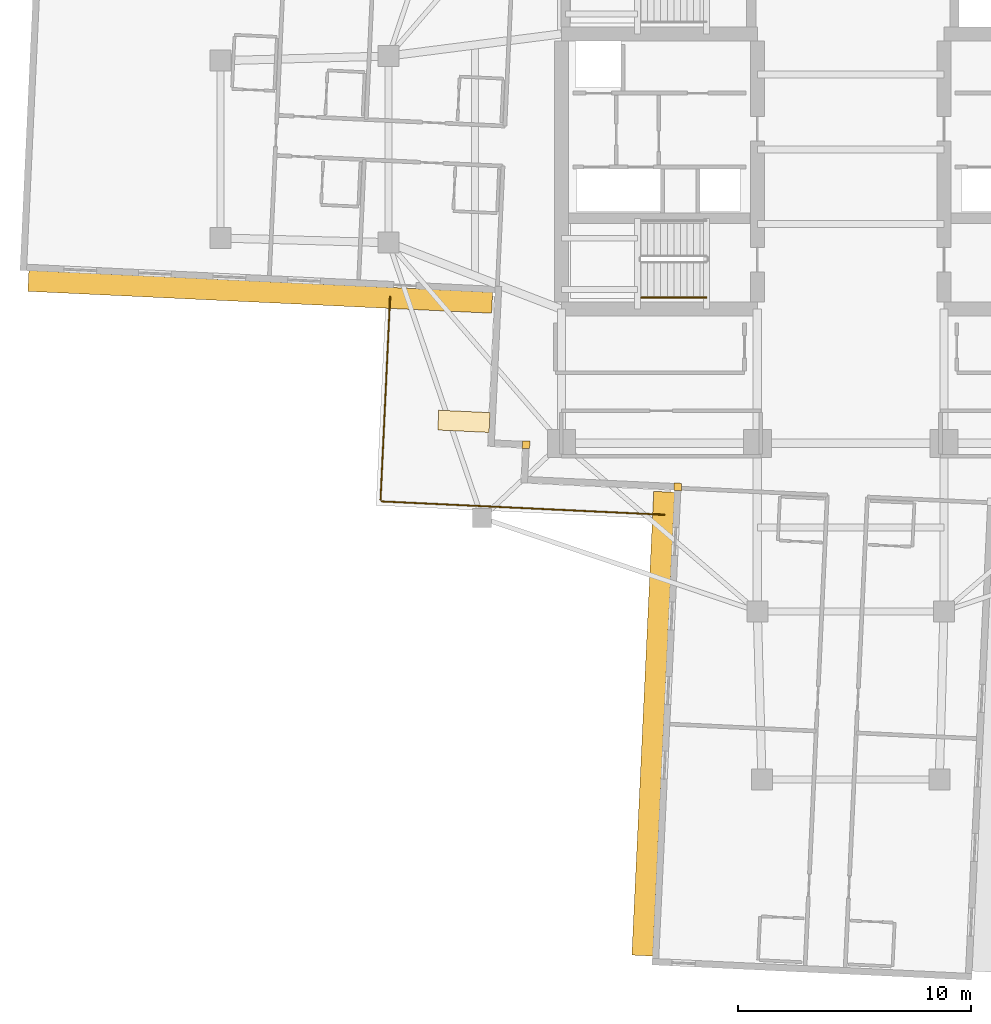
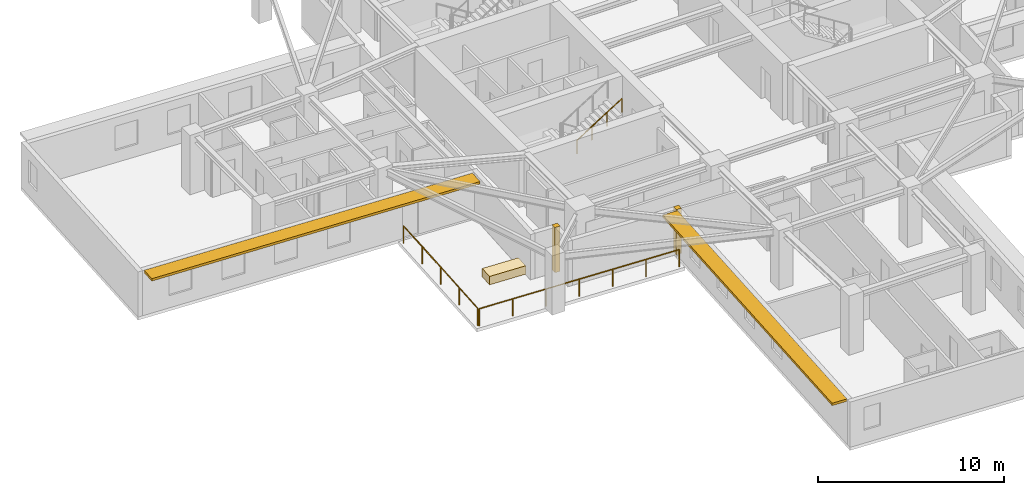
# One storey, part 10 of 14: 3 coverings, 3 railings, 2 shading devices.
"""IFC4 building model written with IfcOpenShell, lengths in metres."""

from ifc_helpers import new_model, si_unit, direction, frame, origin, origin_2d, place, context, subcontext, project, spatial, rectangle, circle, extrude, material, layer, layer_set, type_object, element, save


model = new_model("IFC4")

# Units and contexts
model_context = context("Model", 3, precision=1e-05, world=origin(), true_north=direction((0.0, 1.0)))
body_context = subcontext(model_context, "Body", "Model", "MODEL_VIEW")
ifc_project = project(units=[si_unit("LENGTHUNIT", "METRE"), si_unit("AREAUNIT", "SQUARE_METRE"), si_unit("VOLUMEUNIT", "CUBIC_METRE"), si_unit("PLANEANGLEUNIT", "RADIAN"), si_unit("MASSUNIT", "GRAM", prefix="KILO")], contexts=[model_context])

# Site, building, storey
site_placement = place(None, origin())
site = spatial("IfcSite", under=ifc_project, at=site_placement, CompositionType="ELEMENT")
building_placement = place(site_placement, origin())
building = spatial("IfcBuilding", under=site, at=building_placement, Name="Qingluan Cross Belvedere", CompositionType="ELEMENT")
storey_placement = place(building_placement, frame((0.0, 0.0, 156.60009765625)))
storey = spatial("IfcBuildingStorey", under=building, at=storey_placement, Name="L39", CompositionType="ELEMENT", Elevation=156.60009765625)

# Coverings
ifc_material_1 = material(Name="Precast concrete C45", Category="concrete")
ifc_layer_1 = layer(ifc_material_1, 0.1201171875, Name="ConcreteSpandrelCladding_120")
ifc_layer_set_1 = layer_set([ifc_layer_1], Name="Precast concrete C45")
covering_type_1 = type_object("IfcCoveringType", Name="ConcreteSpandrelCladding_120", PredefinedType="CLADDING", material=ifc_layer_set_1)
for number, where, z_axis, x_axis, name in (
    (1, (-13.911865234375, -12.65869140625, 0.0), (0.0, 0.0, 1.0), (0.998889874962, -0.04710645071, 0.0), "Corner closure L39-SW1"),
    (2, (-7.40966796875, -14.467041015625, 0.0), (0.0, 0.0, 1.0), (0.998889874962, -0.04710645071, 0.0), "Corner closure L39-SW2"),
):
    element("IfcCovering", number, at=place(storey_placement, frame(where, z_axis=z_axis, x_axis=x_axis)), inside=storey, type_object=covering_type_1, Name=name, PredefinedType="CLADDING", context=body_context, shape_type="SweptSolid", body=[
        extrude(rectangle(XDim=0.320068359375, YDim=0.320068359375, at=origin_2d()), origin(), (0.0, 0.0, 1.0), 2.969970703125),
    ])

# Shading devices
ifc_material_2 = material(Name="Precast concrete C45", Category="concrete")
ifc_layer_2 = layer(ifc_material_2, 0.159912109375, Name="ConcreteSunshadeBand_900")
ifc_layer_set_2 = layer_set([ifc_layer_2], Name="Precast concrete C45")
shading_device_type = type_object("IfcShadingDeviceType", Name="ConcreteSunshadeBand_900", PredefinedType="USERDEFINED", material=ifc_layer_set_2)
for number, where, z_axis, x_axis, name in (
    (3, (-25.3056640625, -6.104736328125, 2.7900390625), (0.0, 0.0, 1.0), (0.998889735192, -0.04710941444, 0.0), "Concrete SUNSHADE L39-WB"),
    (4, (-8.458984375, -24.618896484375, 2.7900390625), (0.0, 0.0, 1.0), (-0.047104684445, -0.998889958255, 0.0), "Concrete SUNSHADE L39-SA"),
):
    element("IfcShadingDevice", number, at=place(storey_placement, frame(where, z_axis=z_axis, x_axis=x_axis)), inside=storey, type_object=shading_device_type, Name=name, ObjectType="SUNSHADE", PredefinedType="USERDEFINED", context=body_context, shape_type="SweptSolid", body=[
        extrude(rectangle(XDim=19.89990234375, YDim=0.89990234375, at=origin_2d()), origin(), (0.0, 0.0, 1.0), 0.159912109375),
    ])

# Railings
ifc_material_3 = material(Name="Brushed stainless steel tubular handrail", Category="steel")
railing_type_1 = type_object("IfcRailingType", Name="StairPitchHandrail_900", PredefinedType="HANDRAIL", material=ifc_material_3)
railing_1_placement = place(storey_placement, frame((-8.97998046875, -6.35009765625, 2.127197265625)))
element("IfcRailing", 5, at=railing_1_placement, inside=storey, type_object=railing_type_1, Name="L39 ST1 stair handrail 2", PredefinedType="HANDRAIL", context=body_context, shape_type="SweptSolid", body=[
    extrude(circle(Radius=0.02392578125, at=origin_2d()), frame((0.0, 0.0, 0.8759765625), z_axis=(0.844908973607, 0.0, 0.534910110503), x_axis=(0.0, 1.0, 0.0)), (0.0, 0.0, 1.0), 3.31396484375),
    extrude(circle(Radius=0.02099609375, at=origin_2d()), origin(), (0.0, 0.0, 1.0), 0.851806640625),
    extrude(circle(Radius=0.02099609375, at=origin_2d()), frame((0.933349609375, 0.0, 0.5908203125)), (0.0, 0.0, 1.0), 0.851806640625),
    extrude(circle(Radius=0.02099609375, at=origin_2d()), frame((1.86669921875, 0.0, 1.181884765625)), (0.0, 0.0, 1.0), 0.851806640625),
    extrude(circle(Radius=0.02099609375, at=origin_2d()), frame((2.800048828125, 0.0, 1.772705078125)), (0.0, 0.0, 1.0), 0.851806640625),
])
ifc_material_4 = material(Name="Laminated glass and stainless steel balustrade", Category="steel")
railing_type_2 = type_object("IfcRailingType", Name="TerraceGuardBalustrade_1150", PredefinedType="BALUSTRADE", material=ifc_material_4)
railing_2_placement = place(storey_placement, frame((-7.98681640625, -15.6611328125, 0.0)))
element("IfcRailing", 6, at=railing_2_placement, inside=storey, type_object=railing_type_2, Name="Terrace guard L39-1", PredefinedType="BALUSTRADE", context=body_context, shape_type="SweptSolid", body=[
    extrude(circle(Radius=0.02392578125, at=origin_2d()), frame((0.0, 0.0, 1.1259765625), z_axis=(-0.998889411148, 0.047116284841, 0.0), x_axis=(-0.047116284841, -0.998889411148, 0.0)), (0.0, 0.0, 1.0), 12.119873046875),
    extrude(circle(Radius=0.02099609375, at=origin_2d()), origin(), (0.0, 0.0, 1.0), 1.101806640625),
    extrude(circle(Radius=0.02099609375, at=origin_2d()), frame((-2.017822265625, 0.09521484375, 0.0)), (0.0, 0.0, 1.0), 1.101806640625),
    extrude(circle(Radius=0.02099609375, at=origin_2d()), frame((-4.035400390625, 0.1904296875, 0.0)), (0.0, 0.0, 1.0), 1.101806640625),
    extrude(circle(Radius=0.02099609375, at=origin_2d()), frame((-6.05322265625, 0.28564453125, 0.0)), (0.0, 0.0, 1.0), 1.101806640625),
    extrude(circle(Radius=0.02099609375, at=origin_2d()), frame((-8.071044921875, 0.380615234375, 0.0)), (0.0, 0.0, 1.0), 1.101806640625),
    extrude(circle(Radius=0.02099609375, at=origin_2d()), frame((-10.088623046875, 0.475830078125, 0.0)), (0.0, 0.0, 1.0), 1.101806640625),
    extrude(circle(Radius=0.02099609375, at=origin_2d()), frame((-12.1064453125, 0.571044921875, 0.0)), (0.0, 0.0, 1.0), 1.101806640625),
])
railing_3_placement = place(storey_placement, frame((-20.150390625, -15.02734375, 0.0)))
element("IfcRailing", 7, at=railing_3_placement, inside=storey, type_object=railing_type_2, Name="Terrace guard L39-2", PredefinedType="BALUSTRADE", context=body_context, shape_type="SweptSolid", body=[
    extrude(circle(Radius=0.02392578125, at=origin_2d()), frame((0.0, 0.0, 1.1259765625), z_axis=(0.047120848632, 0.998889195869, 0.0), x_axis=(-0.998889195869, 0.047120848632, 0.0)), (0.0, 0.0, 1.0), 8.719970703125),
    extrude(circle(Radius=0.02099609375, at=origin_2d()), origin(), (0.0, 0.0, 1.0), 1.101806640625),
    extrude(circle(Radius=0.02099609375, at=origin_2d()), frame((0.102783203125, 2.177490234375, 0.0)), (0.0, 0.0, 1.0), 1.101806640625),
    extrude(circle(Radius=0.02099609375, at=origin_2d()), frame((0.20556640625, 4.35498046875, 0.0)), (0.0, 0.0, 1.0), 1.101806640625),
    extrude(circle(Radius=0.02099609375, at=origin_2d()), frame((0.30810546875, 6.53271484375, 0.0)), (0.0, 0.0, 1.0), 1.101806640625),
    extrude(circle(Radius=0.02099609375, at=origin_2d()), frame((0.410888671875, 8.710205078125, 0.0)), (0.0, 0.0, 1.0), 1.101806640625),
])

# Covering
ifc_material_5 = material(Name="Precast concrete C40", Category="concrete")
ifc_layer_3 = layer(ifc_material_5, 0.550048828125, Name="TerracePlanterBox")
ifc_layer_set_3 = layer_set([ifc_layer_3], Name="Precast concrete C40")
covering_type_2 = type_object("IfcCoveringType", Name="TerracePlanterBox", PredefinedType="USERDEFINED", material=ifc_layer_set_3)
covering_placement = place(storey_placement, frame((-16.576904296875, -11.656982421875, 0.0), z_axis=(0.0, 0.0, 1.0), x_axis=(0.998889874962, -0.04710645071, 0.0)))
element("IfcCovering", 8, at=covering_placement, inside=storey, type_object=covering_type_2, Name="Spiralling winter-garden planter L39", ObjectType="PLANTER", PredefinedType="USERDEFINED", context=body_context, shape_type="SweptSolid", body=[
    extrude(rectangle(XDim=2.199951171875, YDim=0.85009765625, at=origin_2d()), origin(), (0.0, 0.0, 1.0), 0.550048828125),
])

save(model, "model.ifc")
